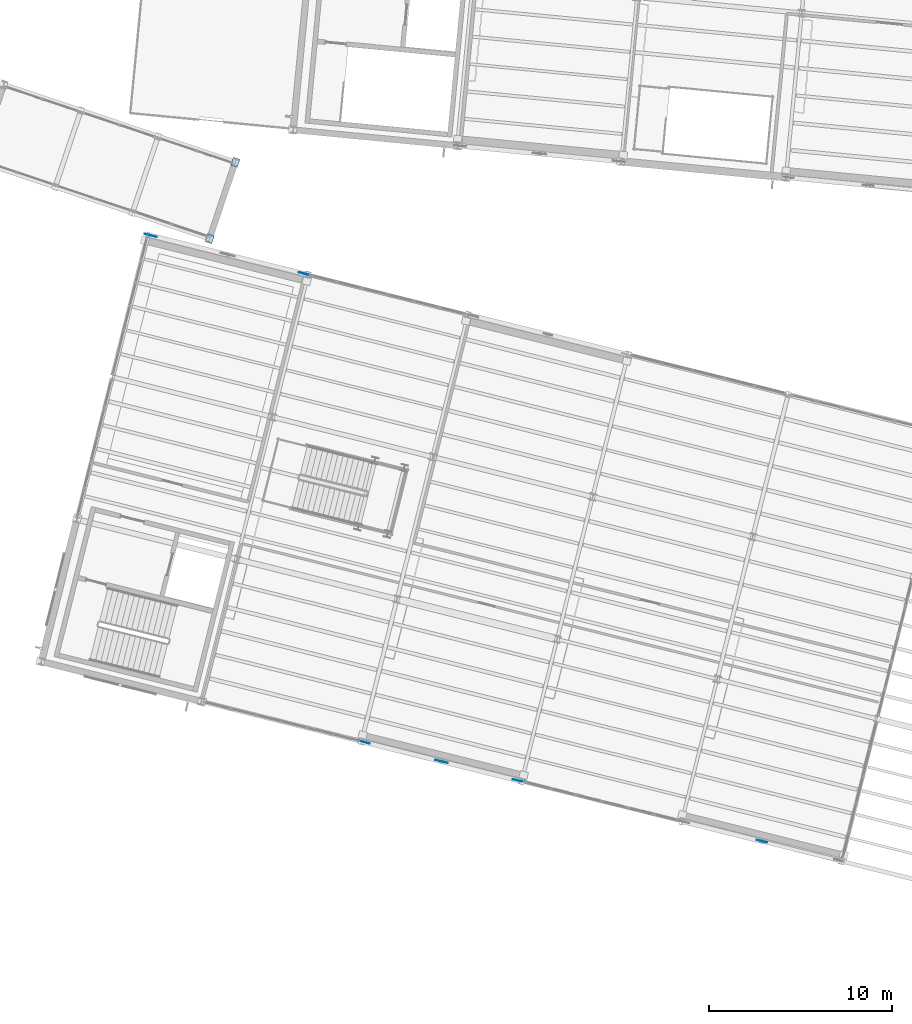
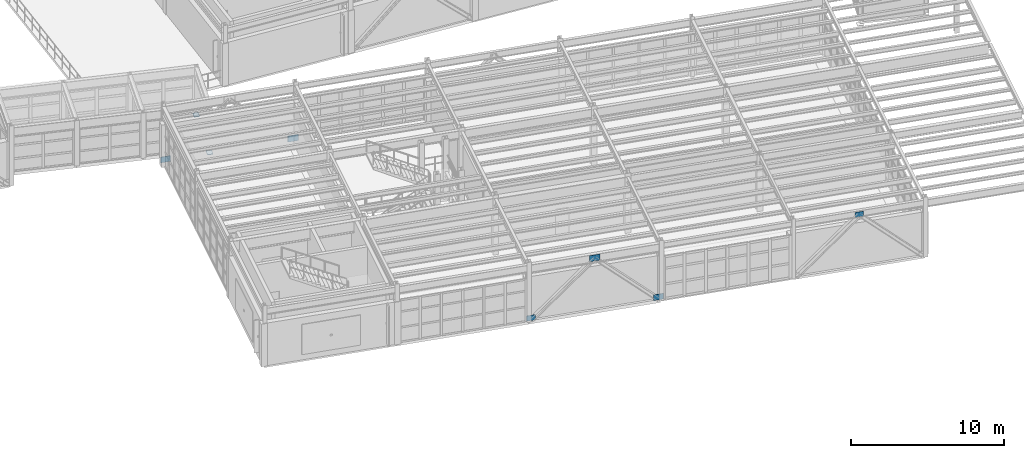
# One storey, part 76 of 102: 8 plates.
"""IFC4 building model written with IfcOpenShell, lengths in metres."""

from ifc_helpers import new_model, si_unit, direction, frame, origin, origin_2d, place, context, subcontext, project, spatial, rectangle, extrude, material, layer, layer_set, type_object, element, save


model = new_model("IFC4")

# Units and contexts
model_context = context("Model", 3, precision=1e-05, world=origin(), true_north=direction((0.0, 1.0)))
body_context = subcontext(model_context, "Body", "Model", "MODEL_VIEW")
ifc_project = project(units=[si_unit("LENGTHUNIT", "METRE"), si_unit("AREAUNIT", "SQUARE_METRE"), si_unit("VOLUMEUNIT", "CUBIC_METRE"), si_unit("PLANEANGLEUNIT", "RADIAN"), si_unit("MASSUNIT", "GRAM", prefix="KILO")], contexts=[model_context])

# Site, building, storey
site_placement = place(None, origin())
site = spatial("IfcSite", under=ifc_project, at=site_placement, CompositionType="ELEMENT")
building_placement = place(site_placement, origin())
building = spatial("IfcBuilding", under=site, at=building_placement, Name="Vireo Bluff Cable Station", CompositionType="ELEMENT")
storey_placement = place(building_placement, frame((0.0, 0.0, 9.60009765625)))
storey = spatial("IfcBuildingStorey", under=building, at=storey_placement, Name="L02", CompositionType="ELEMENT", Elevation=9.60009765625)

# Plates
ifc_material = material(Name="Steel ASTM A572 Gr. 50", Category="steel")
ifc_layer_1 = layer(ifc_material, 0.02392578125, Name="Steel ASTM A572 Gr. 50")
ifc_layer_set_1 = layer_set([ifc_layer_1], Name="Steel ASTM A572 Gr. 50")
plate_type_1 = type_object("IfcPlateType", Name="GUSSET-580X400X24", PredefinedType="USERDEFINED", material=ifc_layer_set_1)
plate_1_placement = place(storey_placement, frame((93.296875, 28.2021484375, 3.97998046875), z_axis=(0.0, 0.0, 1.0), x_axis=(0.970295726276, -0.2419218956, 0.0)))
element("IfcPlate", 1, at=plate_1_placement, inside=storey, type_object=plate_type_1, Name="V1 L02 chevron gusset plate 44", ObjectType="GUSSET PLATE", PredefinedType="USERDEFINED", context=body_context, shape_type="SweptSolid", body=[
    extrude(rectangle(XDim=0.580078125, YDim=0.02392578125, at=origin_2d()), origin(), (0.0, 0.0, 1.0), 0.39990234375),
])
ifc_layer_2 = layer(ifc_material, 0.02490234375, Name="Steel ASTM A572 Gr. 50")
ifc_layer_set_2 = layer_set([ifc_layer_2], Name="Steel ASTM A572 Gr. 50")
plate_type_2 = type_object("IfcPlateType", Name="GUSSET-620X420X25", PredefinedType="USERDEFINED", material=ifc_layer_set_2)
plate_2_placement = place(storey_placement, frame((71.62060546875, 33.606689453125, 0.010009765625), z_axis=(0.0, 0.0, 1.0), x_axis=(0.970295726276, -0.2419218956, 0.0)))
element("IfcPlate", 2, at=plate_2_placement, inside=storey, type_object=plate_type_2, Name="V1 L02 brace base gusset plate 45", ObjectType="GUSSET PLATE", PredefinedType="USERDEFINED", context=body_context, shape_type="SweptSolid", body=[
    extrude(rectangle(XDim=0.6201171875, YDim=0.02490234375, at=origin_2d()), origin(), (0.0, 0.0, 1.0), 0.419921875),
])
ifc_layer_3 = layer(ifc_material, 0.028076171875, Name="Steel ASTM A572 Gr. 50")
ifc_layer_set_3 = layer_set([ifc_layer_3], Name="Steel ASTM A572 Gr. 50")
plate_type_3 = type_object("IfcPlateType", Name="GUSSET-660X450X28", PredefinedType="USERDEFINED", material=ifc_layer_set_3)
plate_3_placement = place(storey_placement, frame((80.042724609375, 31.5068359375, -0.0048828125), z_axis=(0.0, 0.0, 1.0), x_axis=(0.970295726276, -0.2419218956, 0.0)))
element("IfcPlate", 3, at=plate_3_placement, inside=storey, type_object=plate_type_3, Name="V1 L02 brace base gusset plate 46", ObjectType="GUSSET PLATE", PredefinedType="USERDEFINED", context=body_context, shape_type="SweptSolid", body=[
    extrude(rectangle(XDim=0.659912109375, YDim=0.028076171875, at=origin_2d()), origin(), (0.0, 0.0, 1.0), 0.449951171875),
])
ifc_layer_4 = layer(ifc_material, 0.029052734375, Name="Steel ASTM A572 Gr. 50")
ifc_layer_set_4 = layer_set([ifc_layer_4], Name="Steel ASTM A572 Gr. 50")
plate_type_4 = type_object("IfcPlateType", Name="GUSSET-680X460X29", PredefinedType="USERDEFINED", material=ifc_layer_set_4)
plate_4_placement = place(storey_placement, frame((59.96142578125, 61.248291015625, -0.010009765625), z_axis=(0.0, 0.0, 1.0), x_axis=(0.970295726276, -0.2419218956, 0.0)))
element("IfcPlate", 4, at=plate_4_placement, inside=storey, type_object=plate_type_4, Name="V1 L02 brace base gusset plate 36", ObjectType="GUSSET PLATE", PredefinedType="USERDEFINED", context=body_context, shape_type="SweptSolid", body=[
    extrude(rectangle(XDim=0.679931640625, YDim=0.029052734375, at=origin_2d()), origin(), (0.0, 0.0, 1.0), 0.4599609375),
])
ifc_layer_5 = layer(ifc_material, 0.030029296875, Name="Steel ASTM A572 Gr. 50")
ifc_layer_set_5 = layer_set([ifc_layer_5], Name="Steel ASTM A572 Gr. 50")
plate_type_5 = type_object("IfcPlateType", Name="GUSSET-700X480X30", PredefinedType="USERDEFINED", material=ifc_layer_set_5)
plate_5_placement = place(storey_placement, frame((75.83154296875, 32.556640625, 3.93994140625), z_axis=(0.0, 0.0, 1.0), x_axis=(0.970295726276, -0.2419218956, 0.0)))
element("IfcPlate", 5, at=plate_5_placement, inside=storey, type_object=plate_type_5, Name="V1 L02 chevron gusset plate 47", ObjectType="GUSSET PLATE", PredefinedType="USERDEFINED", context=body_context, shape_type="SweptSolid", body=[
    extrude(rectangle(XDim=0.699951171875, YDim=0.030029296875, at=origin_2d()), origin(), (0.0, 0.0, 1.0), 0.47998046875),
])
ifc_layer_6 = layer(ifc_material, 0.031005859375, Name="Steel ASTM A572 Gr. 50")
ifc_layer_set_6 = layer_set([ifc_layer_6], Name="Steel ASTM A572 Gr. 50")
plate_type_6 = type_object("IfcPlateType", Name="GUSSET-720X490X31", PredefinedType="USERDEFINED", material=ifc_layer_set_6)
plate_6_placement = place(storey_placement, frame((68.383544921875, 59.1484375, -0.02490234375), z_axis=(0.0, 0.0, 1.0), x_axis=(0.970295726276, -0.2419218956, 0.0)))
element("IfcPlate", 6, at=plate_6_placement, inside=storey, type_object=plate_type_6, Name="V1 L02 brace base gusset plate 37", ObjectType="GUSSET PLATE", PredefinedType="USERDEFINED", context=body_context, shape_type="SweptSolid", body=[
    extrude(rectangle(XDim=0.719970703125, YDim=0.031005859375, at=origin_2d()), origin(), (0.0, 0.0, 1.0), 0.489990234375),
])
ifc_layer_7 = layer(ifc_material, 0.0400390625, Name="Steel ASTM A572 Gr. 50")
ifc_layer_set_7 = layer_set([ifc_layer_7], Name="Steel ASTM A572 Gr. 50")
plate_type_7 = type_object("IfcPlateType", Name="SKYBR-SEAT-380X460X40", PredefinedType="SHEET", material=ifc_layer_set_7)
for number, where, z_axis, x_axis, name in (
    (7, (63.179931640625, 61.0712890625, -0.300048828125), (0.0, 0.0, 1.0), (0.948104710889, -0.317958263284, 0.0), "CABIN-TRANSFER skybridge 380mm sliding bearing seat BL"),
    (8, (64.5791015625, 65.242919921875, -0.300048828125), (0.0, 0.0, 1.0), (0.948104710889, -0.317958263284, 0.0), "CABIN-TRANSFER skybridge 380mm sliding bearing seat BR"),
):
    element("IfcPlate", number, at=place(storey_placement, frame(where, z_axis=z_axis, x_axis=x_axis)), inside=storey, type_object=plate_type_7, Name=name, PredefinedType="SHEET", context=body_context, shape_type="SweptSolid", body=[
        extrude(rectangle(XDim=0.3798828125, YDim=0.4599609375, at=origin_2d()), origin(), (0.0, 0.0, 1.0), 0.0400390625),
    ])

save(model, "model.ifc")
